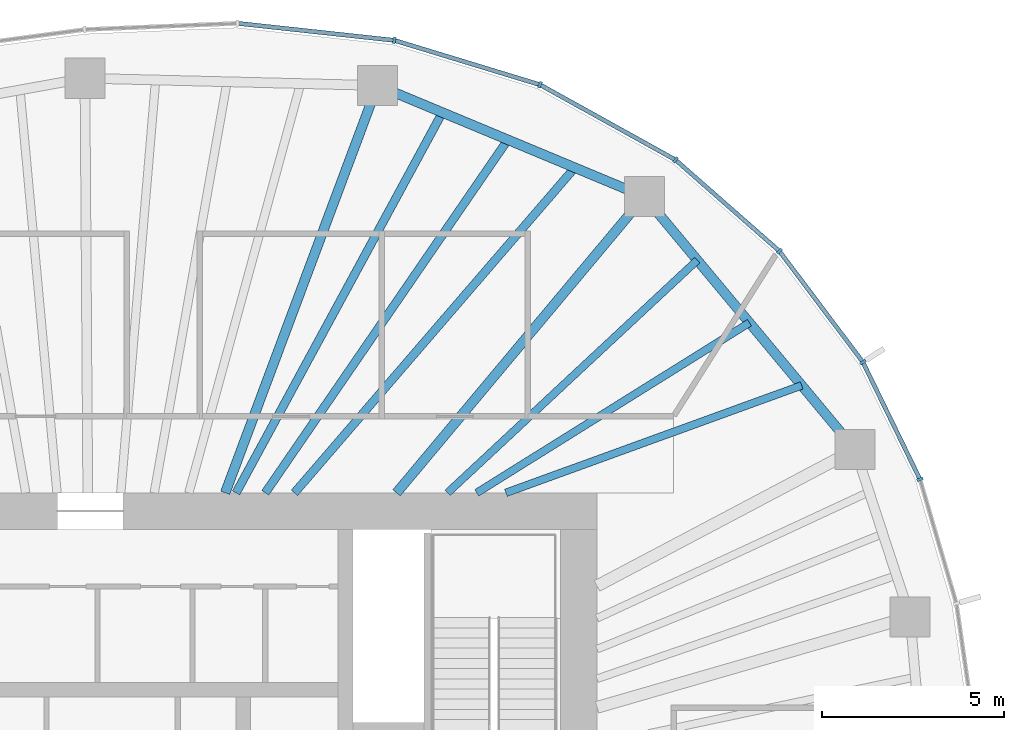
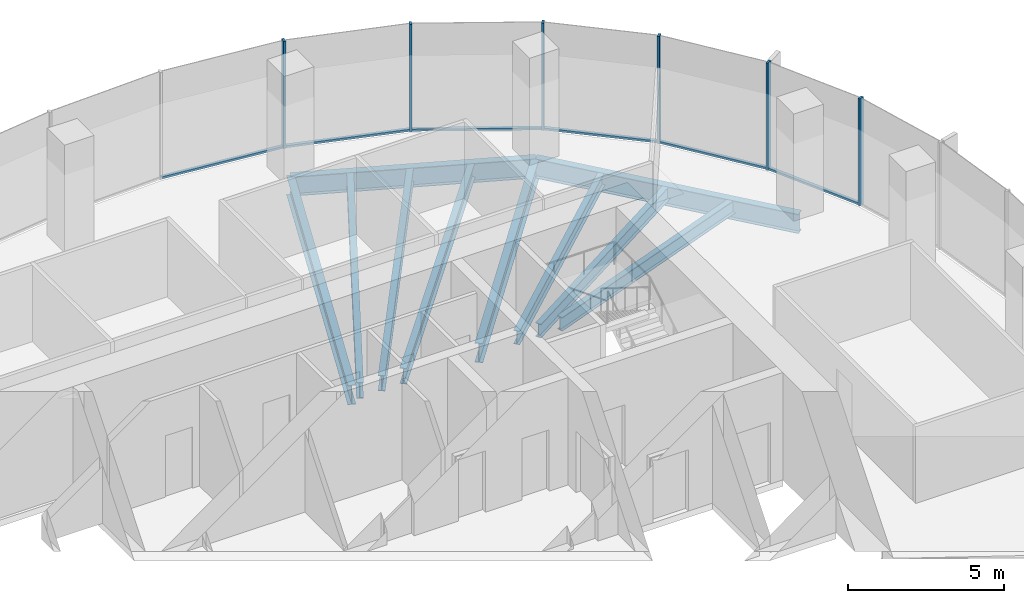
# One storey, part 6 of 11: 12 members, 10 beams, 4 elements without a shape of their own.
"""IFC4 building model written with IfcOpenShell, lengths in metres."""

from ifc_helpers import new_model, si_unit, direction, frame, origin, origin_2d, place, context, subcontext, project, spatial, rectangle, i_section, extrude, material, material_profile, profile_set, type_object, element, aggregate, save


model = new_model("IFC4")

# Units and contexts
model_context = context("Model", 3, precision=1e-05, world=origin(), true_north=direction((0.0, 1.0)))
body_context = subcontext(model_context, "Body", "Model", "MODEL_VIEW")
ifc_project = project(units=[si_unit("LENGTHUNIT", "METRE"), si_unit("AREAUNIT", "SQUARE_METRE"), si_unit("VOLUMEUNIT", "CUBIC_METRE"), si_unit("PLANEANGLEUNIT", "RADIAN"), si_unit("MASSUNIT", "GRAM", prefix="KILO")], contexts=[model_context])

# Site, building, storey
site_placement = place(None, origin())
site = spatial("IfcSite", under=ifc_project, at=site_placement, CompositionType="ELEMENT")
building_placement = place(site_placement, origin())
building = spatial("IfcBuilding", under=site, at=building_placement, Name="Ghaith Harvest Tower", CompositionType="ELEMENT")
storey_placement = place(building_placement, frame((0.0, 0.0, 279.60009765625)))
storey = spatial("IfcBuildingStorey", under=building, at=storey_placement, Name="L62", CompositionType="ELEMENT", Elevation=279.60009765625)

# Curtain wall, member
ifc_material_1 = material(Name="Black anodised aluminium and fritted glass", Category="aluminium")
curtain_wall_type = type_object("IfcCurtainWallType", Name="CW-T CURTAIN WALL", PredefinedType="NOTDEFINED", material=ifc_material_1)
curtain_wall_1_placement = place(storey_placement, origin())
curtain_wall_1 = element("IfcCurtainWall", 1, at=curtain_wall_1_placement, inside=storey, type_object=curtain_wall_type, Name="Curtain wall CW-T bay 02 L62", PredefinedType="NOTDEFINED")
ifc_material_2 = material(Name="Aluminium, black anodised", Category="aluminium")
ifc_material_profile_1 = material_profile(ifc_material_2, rectangle(XDim=0.080078125, YDim=0.179931640625, at=origin_2d()), Name="CW-T MULLION 80x180")
ifc_profile_set_1 = profile_set([ifc_material_profile_1], Name="Aluminium, black anodised")
member_type_1 = type_object("IfcMemberType", Name="CW-T MULLION 80x180", PredefinedType="MULLION", material=ifc_profile_set_1)
member_1_placement = place(storey_placement, frame((22.754150390625, 10.272216796875, 0.0), z_axis=(0.0, 0.0, 1.0), x_axis=(-0.361184273709, 0.932494461338, 0.0)))
member_1 = element("IfcMember", 2, at=member_1_placement, type_object=member_type_1, Name="CW-T mullion 2 bay 02 L62", PredefinedType="MULLION", context=body_context, shape_type="SweptSolid", body=[
    extrude(rectangle(XDim=0.080078125, YDim=0.179931640625, at=origin_2d()), origin(), (0.0, 0.0, 1.0), 4.199951171875),
])

# Curtain wall, members
curtain_wall_2_placement = place(storey_placement, origin())
curtain_wall_2 = element("IfcCurtainWall", 3, at=curtain_wall_2_placement, inside=storey, type_object=curtain_wall_type, Name="Curtain wall CW-T bay 03 L62", PredefinedType="NOTDEFINED")
member_2_placement = place(storey_placement, frame((21.18896484375, 13.48486328125, 0.0), z_axis=(0.0, 0.0, 1.0), x_axis=(-0.524482238522, 0.851421388899, 0.0)))
member_2 = element("IfcMember", 4, at=member_2_placement, type_object=member_type_1, Name="CW-T mullion 1 bay 03 L62", PredefinedType="MULLION", context=body_context, shape_type="SweptSolid", body=[
    extrude(rectangle(XDim=0.080078125, YDim=0.179931640625, at=origin_2d()), origin(), (0.0, 0.0, 1.0), 4.199951171875),
])
member_3_placement = place(storey_placement, frame((18.901123046875, 16.527099609375, 0.0), z_axis=(0.0, 0.0, 1.0), x_axis=(-0.679660897075, 0.733526458274, 0.0)))
member_3 = element("IfcMember", 5, at=member_3_placement, type_object=member_type_1, Name="CW-T mullion 2 bay 03 L62", PredefinedType="MULLION", context=body_context, shape_type="SweptSolid", body=[
    extrude(rectangle(XDim=0.080078125, YDim=0.179931640625, at=origin_2d()), origin(), (0.0, 0.0, 1.0), 4.199951171875),
])

curtain_wall_3_placement = place(storey_placement, origin())
curtain_wall_3 = element("IfcCurtainWall", 6, at=curtain_wall_3_placement, inside=storey, type_object=curtain_wall_type, Name="Curtain wall CW-T bay 04 L62", PredefinedType="NOTDEFINED")
member_4_placement = place(storey_placement, frame((16.04931640625, 19.031982421875, 0.0), z_axis=(0.0, 0.0, 1.0), x_axis=(-0.821112053873, 0.570767023385, 0.0)))
member_4 = element("IfcMember", 7, at=member_4_placement, type_object=member_type_1, Name="CW-T mullion 1 bay 04 L62", PredefinedType="MULLION", context=body_context, shape_type="SweptSolid", body=[
    extrude(rectangle(XDim=0.080078125, YDim=0.179931640625, at=origin_2d()), origin(), (0.0, 0.0, 1.0), 4.199951171875),
])
member_5_placement = place(storey_placement, frame((12.334228515625, 21.091796875, 0.0), z_axis=(0.0, 0.0, 1.0), x_axis=(-0.920319269246, 0.391168049123, 0.0)))
member_5 = element("IfcMember", 8, at=member_5_placement, type_object=member_type_1, Name="CW-T mullion 2 bay 04 L62", PredefinedType="MULLION", context=body_context, shape_type="SweptSolid", body=[
    extrude(rectangle(XDim=0.080078125, YDim=0.179931640625, at=origin_2d()), origin(), (0.0, 0.0, 1.0), 4.199951171875),
])

# Curtain wall, member
curtain_wall_4_placement = place(storey_placement, origin())
curtain_wall_4 = element("IfcCurtainWall", 9, at=curtain_wall_4_placement, inside=storey, type_object=curtain_wall_type, Name="Curtain wall CW-T bay 05 L62", PredefinedType="NOTDEFINED")
member_6_placement = place(storey_placement, frame((8.33984375, 22.308837890625, 0.0), z_axis=(0.0, 0.0, 1.0), x_axis=(-0.980000193436, 0.198996534809, 0.0)))
member_6 = element("IfcMember", 10, at=member_6_placement, type_object=member_type_1, Name="CW-T mullion 1 bay 05 L62", PredefinedType="MULLION", context=body_context, shape_type="SweptSolid", body=[
    extrude(rectangle(XDim=0.080078125, YDim=0.179931640625, at=origin_2d()), origin(), (0.0, 0.0, 1.0), 4.199951171875),
])

# Member
ifc_material_3 = material(Name="Aluminium, black anodised", Category="aluminium")
ifc_material_profile_2 = material_profile(ifc_material_3, rectangle(XDim=0.1201171875, YDim=0.080078125, at=origin_2d()), Name="CW-T TRANSOM 120x80")
ifc_profile_set_2 = profile_set([ifc_material_profile_2], Name="Aluminium, black anodised")
member_type_2 = type_object("IfcMemberType", Name="CW-T TRANSOM 120x80", PredefinedType="USERDEFINED", material=ifc_profile_set_2)
member_7_placement = place(storey_placement, frame((22.736572265625, 10.308349609375, 0.039794921875), z_axis=(-0.437965078712, 0.898991985408, 0.0), x_axis=(-0.898991985408, -0.437965078712, 0.0)))
member_7 = element("IfcMember", 11, at=member_7_placement, type_object=member_type_2, Name="CW-T transom 2 bay 02 L62", ObjectType="TRANSOM", PredefinedType="USERDEFINED", context=body_context, shape_type="SweptSolid", body=[
    extrude(rectangle(XDim=0.1201171875, YDim=0.080078125, at=origin_2d()), origin(), (0.0, 0.0, 1.0), 3.493408203125),
])

aggregate(curtain_wall_1, [member_1, member_7])

member_8_placement = place(storey_placement, frame((21.1650390625, 13.516845703125, 0.039794921875), z_axis=(-0.601079103045, 0.799189534392, 0.0), x_axis=(-0.799189534392, -0.601079103045, 0.0)))
member_8 = element("IfcMember", 12, at=member_8_placement, type_object=member_type_2, Name="CW-T transom 1 bay 03 L62", ObjectType="TRANSOM", PredefinedType="USERDEFINED", context=body_context, shape_type="SweptSolid", body=[
    extrude(rectangle(XDim=0.1201171875, YDim=0.080078125, at=origin_2d()), origin(), (0.0, 0.0, 1.0), 3.7265625),
])

member_9_placement = place(storey_placement, frame((18.87109375, 16.553466796875, 0.039794921875), z_axis=(-0.751325799984, 0.659931467865, 0.0), x_axis=(-0.659931467865, -0.751325799984, 0.0)))
member_9 = element("IfcMember", 13, at=member_9_placement, type_object=member_type_2, Name="CW-T transom 2 bay 03 L62", ObjectType="TRANSOM", PredefinedType="USERDEFINED", context=body_context, shape_type="SweptSolid", body=[
    extrude(rectangle(XDim=0.1201171875, YDim=0.080078125, at=origin_2d()), origin(), (0.0, 0.0, 1.0), 3.7158203125),
])

aggregate(curtain_wall_2, [member_2, member_8, member_3, member_9])

member_10_placement = place(storey_placement, frame((16.01416015625, 19.051513671875, 0.039794921875), z_axis=(-0.874552130553, 0.484931511603, 0.0), x_axis=(-0.484931511603, -0.874552130553, 0.0)))
member_10 = element("IfcMember", 14, at=member_10_placement, type_object=member_type_2, Name="CW-T transom 1 bay 04 L62", ObjectType="TRANSOM", PredefinedType="USERDEFINED", context=body_context, shape_type="SweptSolid", body=[
    extrude(rectangle(XDim=0.1201171875, YDim=0.080078125, at=origin_2d()), origin(), (0.0, 0.0, 1.0), 4.16748046875),
])

member_11_placement = place(storey_placement, frame((12.296142578125, 21.103515625, 0.039794921875), z_axis=(-0.956593713342, 0.291424891858, 0.0), x_axis=(-0.291424891858, -0.956593713342, 0.0)))
member_11 = element("IfcMember", 15, at=member_11_placement, type_object=member_type_2, Name="CW-T transom 2 bay 04 L62", ObjectType="TRANSOM", PredefinedType="USERDEFINED", context=body_context, shape_type="SweptSolid", body=[
    extrude(rectangle(XDim=0.1201171875, YDim=0.080078125, at=origin_2d()), origin(), (0.0, 0.0, 1.0), 4.095703125),
])

aggregate(curtain_wall_3, [member_4, member_10, member_5, member_11])

member_12_placement = place(storey_placement, frame((8.300048828125, 22.313232421875, 0.039794921875), z_axis=(-0.994144463069, 0.108059180768, 0.0), x_axis=(-0.108059180768, -0.994144463069, 0.0)))
member_12 = element("IfcMember", 16, at=member_12_placement, type_object=member_type_2, Name="CW-T transom 1 bay 05 L62", ObjectType="TRANSOM", PredefinedType="USERDEFINED", context=body_context, shape_type="SweptSolid", body=[
    extrude(rectangle(XDim=0.1201171875, YDim=0.080078125, at=origin_2d()), origin(), (0.0, 0.0, 1.0), 4.24755859375),
])

aggregate(curtain_wall_4, [member_6, member_12])

# Beams
ifc_material_4 = material(Name="Steel ASTM A992 Grade 50", Category="steel")
ifc_material_profile_3 = material_profile(ifc_material_4, i_section(OverallWidth=0.26611328125, OverallDepth=0.758056640625, WebThickness=0.013916015625, FlangeThickness=0.019287109375, at=origin_2d()), Name="W760X161")
ifc_profile_set_3 = profile_set([ifc_material_profile_3], Name="Steel ASTM A992 Grade 50")
beam_type_1 = type_object("IfcBeamType", Name="E760-161 W760X161", PredefinedType="SPANDREL", material=ifc_profile_set_3)
beam_1_placement = place(storey_placement, frame((20.97705078125, 11.087890625, -0.549072265625), z_axis=(-0.640173759088, 0.76823014662, 0.0), x_axis=(-0.76823014662, -0.640173759088, 0.0)))
element("IfcBeam", 17, at=beam_1_placement, inside=storey, type_object=beam_type_1, Name="Edge beam E03 L62", PredefinedType="SPANDREL", context=body_context, shape_type="SweptSolid", body=[
    extrude(i_section(OverallWidth=0.26611328125, OverallDepth=0.758056640625, WebThickness=0.013916015625, FlangeThickness=0.019287109375, at=origin_2d()), origin(), (0.0, 0.0, 1.0), 9.02734375),
])
beam_2_placement = place(storey_placement, frame((15.197998046875, 18.02294921875, -0.549072265625), z_axis=(-0.923119729219, 0.384512633766, 0.0), x_axis=(-0.384512633766, -0.923119729219, 0.0)))
element("IfcBeam", 18, at=beam_2_placement, inside=storey, type_object=beam_type_1, Name="Edge beam E04 L62", PredefinedType="SPANDREL", context=body_context, shape_type="SweptSolid", body=[
    extrude(i_section(OverallWidth=0.26611328125, OverallDepth=0.758056640625, WebThickness=0.013916015625, FlangeThickness=0.019287109375, at=origin_2d()), origin(), (0.0, 0.0, 1.0), 7.9296875),
])
ifc_material_5 = material(Name="Steel ASTM A992 Grade 50", Category="steel")
ifc_material_profile_4 = material_profile(ifc_material_5, i_section(OverallWidth=0.26611328125, OverallDepth=0.758056640625, WebThickness=0.013916015625, FlangeThickness=0.019287109375, at=origin_2d()), Name="W760X161")
ifc_profile_set_4 = profile_set([ifc_material_profile_4], Name="Steel ASTM A992 Grade 50")
beam_type_2 = type_object("IfcBeamType", Name="G760-161 W760X161", PredefinedType="BEAM", material=ifc_profile_set_4)
beam_3_placement = place(storey_placement, frame((8.39990234375, 9.89990234375, -0.549072265625), z_axis=(0.641792628883, 0.766878231215, 0.0), x_axis=(-0.766878231215, 0.641792628883, 0.0)))
element("IfcBeam", 19, at=beam_3_placement, inside=storey, type_object=beam_type_2, Name="Radial girder G04 L62", PredefinedType="BEAM", context=body_context, shape_type="SweptSolid", body=[
    extrude(i_section(OverallWidth=0.26611328125, OverallDepth=0.758056640625, WebThickness=0.013916015625, FlangeThickness=0.019287109375, at=origin_2d()), origin(), (0.0, 0.0, 1.0), 10.59228515625),
])
beam_4_placement = place(storey_placement, frame((3.700927734375, 9.89990234375, -0.549072265625), z_axis=(0.350201332531, 0.936674450753, 0.0), x_axis=(-0.936674450753, 0.350201332531, 0.0)))
element("IfcBeam", 20, at=beam_4_placement, inside=storey, type_object=beam_type_2, Name="Radial girder G05 L62", PredefinedType="BEAM", context=body_context, shape_type="SweptSolid", body=[
    extrude(i_section(OverallWidth=0.26611328125, OverallDepth=0.758056640625, WebThickness=0.013916015625, FlangeThickness=0.019287109375, at=origin_2d()), origin(), (0.0, 0.0, 1.0), 11.927490234375),
])
ifc_material_6 = material(Name="Steel ASTM A992 Grade 50", Category="steel")
ifc_material_profile_5 = material_profile(ifc_material_6, i_section(OverallWidth=0.2109375, OverallDepth=0.5390625, WebThickness=0.01171875, FlangeThickness=0.018798828125, at=origin_2d()), Name="W530X109")
ifc_profile_set_5 = profile_set([ifc_material_profile_5], Name="Steel ASTM A992 Grade 50")
beam_type_3 = type_object("IfcBeamType", Name="J530-109 W530X109", PredefinedType="JOIST", material=ifc_profile_set_5)
beam_5_placement = place(storey_placement, frame((11.39990234375, 9.89990234375, -0.439697265625), z_axis=(0.939925501564, 0.341379629605, 0.0), x_axis=(-0.341379629605, 0.939925501564, 0.0)))
element("IfcBeam", 21, at=beam_5_placement, inside=storey, type_object=beam_type_3, Name="Joist J03.1 L62", PredefinedType="JOIST", context=body_context, shape_type="SweptSolid", body=[
    extrude(i_section(OverallWidth=0.2109375, OverallDepth=0.5390625, WebThickness=0.01171875, FlangeThickness=0.018798828125, at=origin_2d()), origin(), (0.0, 0.0, 1.0), 8.630615234375),
])
beam_6_placement = place(storey_placement, frame((10.60009765625, 9.89990234375, -0.439697265625), z_axis=(0.84837619421, 0.52939383553, 0.0), x_axis=(-0.52939383553, 0.84837619421, 0.0)))
element("IfcBeam", 22, at=beam_6_placement, inside=storey, type_object=beam_type_3, Name="Joist J03.2 L62", PredefinedType="JOIST", context=body_context, shape_type="SweptSolid", body=[
    extrude(i_section(OverallWidth=0.2109375, OverallDepth=0.5390625, WebThickness=0.01171875, FlangeThickness=0.018798828125, at=origin_2d()), origin(), (0.0, 0.0, 1.0), 8.814697265625),
])
beam_7_placement = place(storey_placement, frame((9.800048828125, 9.89990234375, -0.439697265625), z_axis=(0.73164904944, 0.681681500742, 0.0), x_axis=(-0.681681500742, 0.73164904944, 0.0)))
element("IfcBeam", 23, at=beam_7_placement, inside=storey, type_object=beam_type_3, Name="Joist J03.3 L62", PredefinedType="JOIST", context=body_context, shape_type="SweptSolid", body=[
    extrude(i_section(OverallWidth=0.2109375, OverallDepth=0.5390625, WebThickness=0.01171875, FlangeThickness=0.018798828125, at=origin_2d()), origin(), (0.0, 0.0, 1.0), 9.361572265625),
])
ifc_material_7 = material(Name="Steel ASTM A992 Grade 50", Category="steel")
ifc_material_profile_6 = material_profile(ifc_material_7, i_section(OverallWidth=0.22998046875, OverallDepth=0.616943359375, WebThickness=0.01318359375, FlangeThickness=0.022216796875, at=origin_2d()), Name="W610X140")
ifc_profile_set_6 = profile_set([ifc_material_profile_6], Name="Steel ASTM A992 Grade 50")
beam_type_4 = type_object("IfcBeamType", Name="J610-140 W610X140", PredefinedType="JOIST", material=ifc_profile_set_6)
beam_8_placement = place(storey_placement, frame((5.60009765625, 9.89990234375, -0.478515625), z_axis=(0.652992938501, 0.757363995888, 0.0), x_axis=(-0.757363995888, 0.652992938501, 0.0)))
element("IfcBeam", 24, at=beam_8_placement, inside=storey, type_object=beam_type_4, Name="Joist J04.1 L62", PredefinedType="JOIST", context=body_context, shape_type="SweptSolid", body=[
    extrude(i_section(OverallWidth=0.22998046875, OverallDepth=0.616943359375, WebThickness=0.01318359375, FlangeThickness=0.022216796875, at=origin_2d()), origin(), (0.0, 0.0, 1.0), 11.775390625),
])
beam_9_placement = place(storey_placement, frame((4.800048828125, 9.89990234375, -0.478515625), z_axis=(0.566228035119, 0.824248634967, 0.0), x_axis=(-0.824248634967, 0.566228035119, 0.0)))
element("IfcBeam", 25, at=beam_9_placement, inside=storey, type_object=beam_type_4, Name="Joist J04.2 L62", PredefinedType="JOIST", context=body_context, shape_type="SweptSolid", body=[
    extrude(i_section(OverallWidth=0.22998046875, OverallDepth=0.616943359375, WebThickness=0.01318359375, FlangeThickness=0.022216796875, at=origin_2d()), origin(), (0.0, 0.0, 1.0), 11.748046875),
])
beam_10_placement = place(storey_placement, frame((4.0, 9.89990234375, -0.478515625), z_axis=(0.476764926531, 0.879030832696, 0.0), x_axis=(-0.879030832696, 0.476764926531, 0.0)))
element("IfcBeam", 26, at=beam_10_placement, inside=storey, type_object=beam_type_4, Name="Joist J04.3 L62", PredefinedType="JOIST", context=body_context, shape_type="SweptSolid", body=[
    extrude(i_section(OverallWidth=0.22998046875, OverallDepth=0.616943359375, WebThickness=0.01318359375, FlangeThickness=0.022216796875, at=origin_2d()), origin(), (0.0, 0.0, 1.0), 11.866455078125),
])

save(model, "model.ifc")
